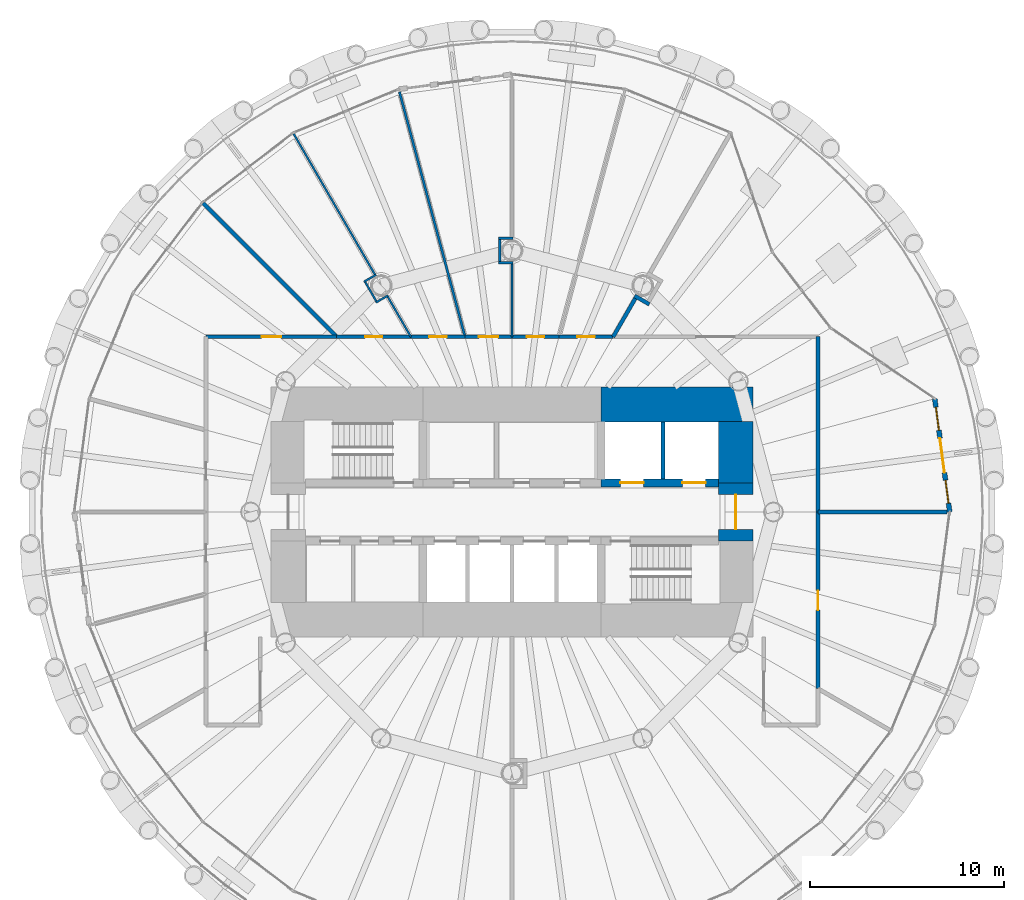
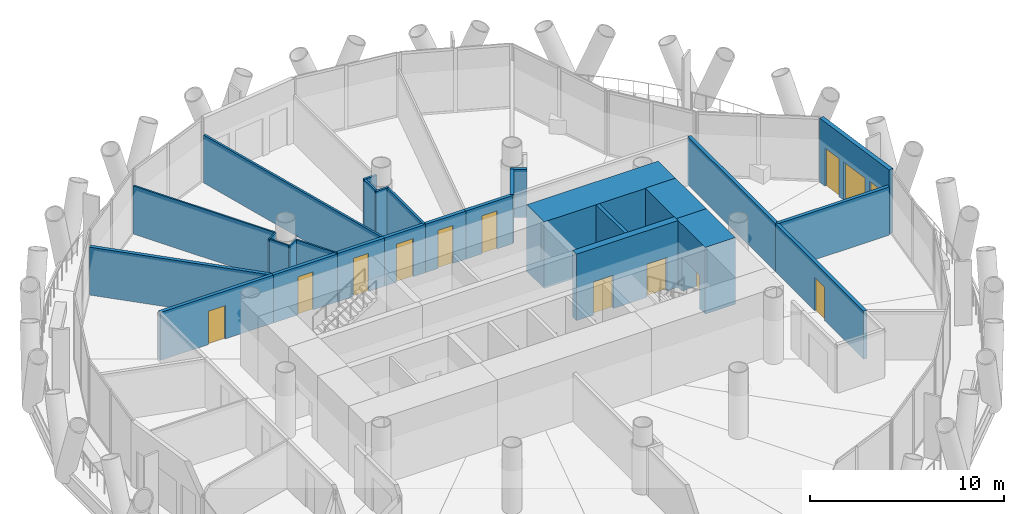
# One storey, part 11 of 16: 28 walls, 11 doors, 2 windows, 13 openings.
"""IFC4 building model written with IfcOpenShell, lengths in metres."""

import ifcopenshell
import ifcopenshell.guid

model = None  # the IFC model being written
_history = None  # IfcOwnerHistory: only IFC2X3 demands one
_inside = {}  # id of a spatial element -> (the spatial element, [elements in it])
_under = {}  # id of a project, library or spatial element -> (it, [spatial elements below it])
_declared = {}  # id of a project -> (the project, [libraries it declares])
_typed = {}  # id of a type object -> (the type object, [elements of that type])
_made_of = {}  # id of a material, layer set ... -> (it, [elements and type objects made of it])


def new_model(schema):
    """Start an empty IFC model of exactly this schema.

    Asked for "IFC4X3", IfcOpenShell would pick the latest addendum, in which some entities
    have other attributes; the version numbers below select the first issue.
    IFC2X3 requires an IfcOwnerHistory on every rooted entity: one is made here for all.
    """
    global model, _history
    if schema == "IFC4X3":
        model = ifcopenshell.file(schema_version=(4, 3, 0, 0))
    else:
        model = ifcopenshell.file(schema=schema)
    _inside.clear()
    _under.clear()
    _declared.clear()
    _typed.clear()
    _made_of.clear()
    _history = None
    if model.schema == "IFC2X3":
        org = make("IfcOrganization", Name="unknown")
        user = make(
            "IfcPersonAndOrganization",
            ThePerson=make("IfcPerson", FamilyName="unknown"),
            TheOrganization=org,
        )
        app = make(
            "IfcApplication",
            ApplicationDeveloper=org,
            Version="unknown",
            ApplicationFullName="unknown",
            ApplicationIdentifier="unknown",
        )
        _history = make(
            "IfcOwnerHistory",
            OwningUser=user,
            OwningApplication=app,
            ChangeAction="ADDED",
            CreationDate=0,
        )
    return model


def make(cls, **values):
    """One entity of the class cls with the attributes given. An attribute that is None is left unset."""
    return model.create_entity(
        cls, **{name: value for name, value in values.items() if value is not None}
    )


def rooted(cls, **values):
    """An entity with a GlobalId (a new one), such as an element, a storey or a relation."""
    return make(cls, GlobalId=ifcopenshell.guid.new(), OwnerHistory=_history, **values)


def si_unit(unit_type, name, prefix=None):
    """IfcSIUnit, for example si_unit("LENGTHUNIT", "METRE", prefix="MILLI")."""
    return make("IfcSIUnit", UnitType=unit_type, Prefix=prefix, Name=name)


def assignment(units):
    """IfcUnitAssignment: the units of a project."""
    return None if units is None else make("IfcUnitAssignment", Units=units)


def point(xyz):
    """IfcCartesianPoint."""
    return None if xyz is None else make("IfcCartesianPoint", Coordinates=xyz)


def direction(xyz):
    """IfcDirection."""
    return None if xyz is None else make("IfcDirection", DirectionRatios=xyz)


def frame(location, z_axis=None, x_axis=None):
    """IfcAxis2Placement3D, a coordinate frame: its origin and axes. An axis left out is left unset."""
    return make(
        "IfcAxis2Placement3D",
        Location=point(location),
        Axis=direction(z_axis),
        RefDirection=direction(x_axis),
    )


def frame_2d(location, x_axis=None):
    """IfcAxis2Placement2D, a coordinate frame in the plane: its origin and x axis."""
    return make(
        "IfcAxis2Placement2D", Location=point(location), RefDirection=direction(x_axis)
    )


def origin():
    """The frame at (0, 0, 0) with its axes left unset."""
    return frame((0.0, 0.0, 0.0))


def place(relative_to, where):
    """IfcLocalPlacement: puts the frame where relative to a parent placement (None: the world)."""
    return make(
        "IfcLocalPlacement", PlacementRelTo=relative_to, RelativePlacement=where
    )


def context(
    kind, dimensions, precision=None, world=None, true_north=None, identifier=None
):
    """IfcGeometricRepresentationContext, for example the 3D "Model" context."""
    return make(
        "IfcGeometricRepresentationContext",
        ContextIdentifier=identifier,
        ContextType=kind,
        CoordinateSpaceDimension=dimensions,
        Precision=precision,
        WorldCoordinateSystem=world,
        TrueNorth=true_north,
    )


def subcontext(parent, identifier, kind, view, scale=None):
    """IfcGeometricRepresentationSubContext, for example "Body" below "Model"."""
    return make(
        "IfcGeometricRepresentationSubContext",
        ContextIdentifier=identifier,
        ContextType=kind,
        ParentContext=parent,
        TargetScale=scale,
        TargetView=view,
    )


def project(units=None, contexts=None):
    """IfcProject with its units and contexts."""
    return rooted(
        "IfcProject",
        Name="project",
        RepresentationContexts=contexts,
        UnitsInContext=assignment(units),
    )


def spatial(cls, under=None, at=None, **own):
    """A site, building, storey or space (cls), placed at a placement, below another one or the project."""
    s = rooted(cls, ObjectPlacement=at, **own)
    if under is not None:
        _under.setdefault(under.id(), (under, []))[1].append(s)
    return s


def profile(cls, at=None, kind="AREA", **sizes):
    """A parametric profile (cls). Its sizes go by their IFC names, for example OverallWidth=200.0."""
    return make(cls, ProfileType=kind, Position=at, **sizes)


def rectangle(**sizes):
    """IfcRectangleProfileDef."""
    return profile("IfcRectangleProfileDef", **sizes)


def extrude(swept, where, along, depth):
    """IfcExtrudedAreaSolid: the profile swept, set in the frame where, extruded along a direction by depth."""
    return make(
        "IfcExtrudedAreaSolid",
        SweptArea=swept,
        Position=where,
        ExtrudedDirection=direction(along),
        Depth=depth,
    )


def shape(context_of_items, identifier, shape_type, items):
    """IfcShapeRepresentation: the items that make up one representation, for example the "Body"."""
    return make(
        "IfcShapeRepresentation",
        ContextOfItems=context_of_items,
        RepresentationIdentifier=identifier,
        RepresentationType=shape_type,
        Items=items,
    )


def material(Name=None, Category=None):
    """IfcMaterial."""
    return make("IfcMaterial", Name=Name, Category=Category)


def layer(
    of_material, thickness, ventilated=None, Name=None, Category=None, Priority=None
):
    """IfcMaterialLayer: one layer of a wall or slab, of a material (None: an air gap)."""
    return make(
        "IfcMaterialLayer",
        Material=of_material,
        LayerThickness=thickness,
        IsVentilated=ventilated,
        Name=Name,
        Category=Category,
        Priority=Priority,
    )


def layer_set(layers, Name=None):
    """IfcMaterialLayerSet."""
    return make("IfcMaterialLayerSet", MaterialLayers=layers, LayerSetName=Name)


def made_of(thing, what):
    """Note that an element or type object is made of a material, layer set ...; save() writes the relation."""
    if what is not None:
        _made_of.setdefault(what.id(), (what, []))[1].append(thing)
    return thing


def type_object(cls, material=None, **own):
    """A type object (cls), such as IfcWallType, which elements share."""
    return made_of(rooted(cls, **own), material)


def element(
    cls,
    number,
    at=None,
    inside=None,
    cuts=None,
    type_object=None,
    material=None,
    context=None,
    identifier="Body",
    shape_type=None,
    held_by="IfcProductDefinitionShape",
    body=None,
    shapes=None,
    **own,
):
    """One element of the class cls, such as IfcWall. Its Tag is "e" and its number.

    at: its placement. inside: the storey or other place that contains it. cuts: it is an
    opening in that element (IfcRelVoidsElement). A single representation is given by context,
    identifier, shape_type and body (its items); several are given by shapes. held_by: the class
    of the entity that holds the representations. save() writes the other relations.
    """
    e = rooted(cls, Tag="e%d" % number, ObjectPlacement=at, **own)
    if body is not None:
        shapes = [shape(context, identifier, shape_type, body)]
    if shapes is not None:
        e.Representation = make(held_by, Representations=shapes)
    if inside is not None:
        _inside.setdefault(inside.id(), (inside, []))[1].append(e)
    if cuts is not None:
        rooted(
            "IfcRelVoidsElement", RelatingBuildingElement=cuts, RelatedOpeningElement=e
        )
    if type_object is not None:
        _typed.setdefault(type_object.id(), (type_object, []))[1].append(e)
    return made_of(e, material)


def fill(opening, filler):
    """IfcRelFillsElement: the door or window that sits in an opening."""
    return rooted(
        "IfcRelFillsElement",
        RelatingOpeningElement=opening,
        RelatedBuildingElement=filler,
    )


def aggregate(whole, parts):
    """IfcRelAggregates: a whole, such as a stair, and the parts it consists of."""
    return rooted("IfcRelAggregates", RelatingObject=whole, RelatedObjects=parts)


def save(model, path):
    """Write the relations noted so far, then the file.

    IfcRelAggregates (storeys below a building ...), IfcRelContainedInSpatialStructure (elements
    in a storey), IfcRelDefinesByType, IfcRelAssociatesMaterial and IfcRelDeclares: one each for
    every whole, place, type object, material and project.
    """
    for whole, parts in _under.values():
        aggregate(whole, parts)
    for where, things in _inside.values():
        rooted(
            "IfcRelContainedInSpatialStructure",
            RelatedElements=things,
            RelatingStructure=where,
        )
    for kind, things in _typed.values():
        rooted("IfcRelDefinesByType", RelatedObjects=things, RelatingType=kind)
    for what, things in _made_of.values():
        rooted("IfcRelAssociatesMaterial", RelatedObjects=things, RelatingMaterial=what)
    for by, libraries in _declared.values():
        rooted("IfcRelDeclares", RelatingContext=by, RelatedDefinitions=libraries)
    model.write(path)


model = new_model("IFC4")

# Units and contexts
model_context = context("Model", 3, precision=1e-05, world=origin(), true_north=direction((0.0, 1.0)))
body_context = subcontext(model_context, "Body", "Model", "MODEL_VIEW")
ifc_project = project(units=[si_unit("LENGTHUNIT", "METRE"), si_unit("AREAUNIT", "SQUARE_METRE"), si_unit("VOLUMEUNIT", "CUBIC_METRE"), si_unit("PLANEANGLEUNIT", "RADIAN"), si_unit("MASSUNIT", "GRAM", prefix="KILO")], contexts=[model_context])

# Site, building, storey
site_placement = place(None, origin())
site = spatial("IfcSite", under=ifc_project, at=site_placement, CompositionType="ELEMENT")
building_placement = place(site_placement, origin())
building = spatial("IfcBuilding", under=site, at=building_placement, Name="Qaws Media Tower", CompositionType="ELEMENT")
storey_placement = place(building_placement, frame((0.0, 0.0, 135.199951171875)))
storey = spatial("IfcBuildingStorey", under=building, at=storey_placement, Name="L30", CompositionType="ELEMENT", Elevation=135.199951171875)

# Wall, openings, door, windows
ifc_material_1 = material(Name="Precast concrete, exposed finish", Category="concrete")
ifc_layer_1 = layer(ifc_material_1, 0.25)
ifc_layer_set_1 = layer_set([ifc_layer_1], Name="Balcony door wall 250")
wall_type_1 = type_object("IfcWallType", Name="Balcony door wall 250", PredefinedType="SOLIDWALL", material=ifc_layer_set_1)
wall_1_placement = place(storey_placement, frame((82.60009765625, 50.0, 0.0), z_axis=(0.0, 0.0, 1.0), x_axis=(-0.130556203128, 0.991440909901, 0.0)))
wall_1 = element("IfcWall", 1, at=wall_1_placement, inside=storey, type_object=wall_type_1, Name="W189 EW1 balcony door wall L30-01", PredefinedType="SOLIDWALL", context=body_context, shape_type="SweptSolid", body=[
    extrude(rectangle(XDim=5.89990234375, YDim=0.25, at=frame_2d((2.949951171875, 0.0))), origin(), (0.0, 0.0, 1.0), 4.0400390625),
])
opening_1_placement = place(wall_1_placement, frame((2.0498046875, 0.0, 0.0)))
opening_1 = element("IfcOpeningElement", 2, at=opening_1_placement, cuts=wall_1, Name="Opening D7", PredefinedType="OPENING", context=body_context, shape_type="SweptSolid", body=[
    extrude(rectangle(XDim=1.800048828125, YDim=2.39990234375, at=frame_2d((0.89990234375, 1.199951171875))), frame((0.0, 0.135009765625, 0.0), z_axis=(0.0, -1.0, 0.0), x_axis=(1.0, 0.0, 0.0)), (0.0, 0.0, 1.0), 0.27001953125),
])
opening_2_placement = place(wall_1_placement, frame((0.449951171875, 0.0, 0.0)))
opening_2 = element("IfcOpeningElement", 3, at=opening_2_placement, cuts=wall_1, Name="Opening W1", PredefinedType="OPENING", context=body_context, shape_type="SweptSolid", body=[
    extrude(rectangle(XDim=1.199951171875, YDim=2.39990234375, at=frame_2d((0.60009765625, 1.199951171875))), frame((0.0, 0.135009765625, 0.0), z_axis=(0.0, -1.0, 0.0), x_axis=(1.0, 0.0, 0.0)), (0.0, 0.0, 1.0), 0.27001953125),
])
opening_3_placement = place(wall_1_placement, frame((4.25, 0.0, 0.0)))
opening_3 = element("IfcOpeningElement", 4, at=opening_3_placement, cuts=wall_1, Name="Opening W1", PredefinedType="OPENING", context=body_context, shape_type="SweptSolid", body=[
    extrude(rectangle(XDim=1.199951171875, YDim=2.39990234375, at=frame_2d((0.60009765625, 1.199951171875))), frame((0.0, 0.135009765625, 0.0), z_axis=(0.0, -1.0, 0.0), x_axis=(1.0, 0.0, 0.0)), (0.0, 0.0, 1.0), 0.27001953125),
])
ifc_material_2 = material(Name="Aluminium and clear glass", Category="aluminium")
door_type_1 = type_object("IfcDoorType", Name="Balcony door pair 1800", OperationType="DOUBLE_DOOR_SLIDING", PredefinedType="DOOR", material=ifc_material_2)
door_1_placement = place(opening_1_placement, origin())
door_1 = element("IfcDoor", 5, at=door_1_placement, inside=storey, type_object=door_type_1, Name="D7 balcony door L30-01 in wall W189", OperationType="DOUBLE_DOOR_SLIDING", OverallHeight=2.39990234375, OverallWidth=1.800048828125, PredefinedType="DOOR", context=body_context, shape_type="SweptSolid", body=[
    extrude(rectangle(XDim=1.800048828125, YDim=2.39990234375, at=frame_2d((0.89990234375, 1.199951171875))), frame((0.0, 0.02490234375, 0.0), z_axis=(0.0, -1.0, 0.0), x_axis=(1.0, 0.0, 0.0)), (0.0, 0.0, 1.0), 0.050048828125),
])
fill(opening_1, door_1)
ifc_material_3 = material(Name="Aluminium and clear glass", Category="aluminium")
window_type = type_object("IfcWindowType", Name="Balcony side window 1200", PartitioningType="SINGLE_PANEL", PredefinedType="WINDOW", material=ifc_material_3)
window_1_placement = place(opening_2_placement, origin())
window_1 = element("IfcWindow", 6, at=window_1_placement, inside=storey, type_object=window_type, Name="W1 balcony side light L30-01L", OverallHeight=2.39990234375, OverallWidth=1.199951171875, PartitioningType="SINGLE_PANEL", PredefinedType="WINDOW", context=body_context, shape_type="SweptSolid", body=[
    extrude(rectangle(XDim=1.199951171875, YDim=2.39990234375, at=frame_2d((0.60009765625, 1.199951171875))), frame((0.0, 0.030029296875, 0.0), z_axis=(0.0, -1.0, 0.0), x_axis=(1.0, 0.0, 0.0)), (0.0, 0.0, 1.0), 0.06005859375),
])
fill(opening_2, window_1)
window_2_placement = place(opening_3_placement, origin())
window_2 = element("IfcWindow", 7, at=window_2_placement, inside=storey, type_object=window_type, Name="W1 balcony side light L30-01R", OverallHeight=2.39990234375, OverallWidth=1.199951171875, PartitioningType="SINGLE_PANEL", PredefinedType="WINDOW", context=body_context, shape_type="SweptSolid", body=[
    extrude(rectangle(XDim=1.199951171875, YDim=2.39990234375, at=frame_2d((0.60009765625, 1.199951171875))), frame((0.0, 0.030029296875, 0.0), z_axis=(0.0, -1.0, 0.0), x_axis=(1.0, 0.0, 0.0)), (0.0, 0.0, 1.0), 0.06005859375),
])
fill(opening_3, window_2)

# Wall, openings, doors
ifc_material_4 = material(Name="Concrete C60/75", Category="concrete")
ifc_layer_2 = layer(ifc_material_4, 0.39990234375)
ifc_layer_set_2 = layer_set([ifc_layer_2], Name="Core inner wall 400")
wall_type_2 = type_object("IfcWallType", Name="Core inner wall 400", PredefinedType="SHEAR", material=ifc_layer_set_2)
wall_2_placement = place(storey_placement, frame((64.60009765625, 51.5, 0.0), z_axis=(0.0, 0.0, 1.0), x_axis=(1.0, 0.0, 0.0)))
wall_2 = element("IfcWall", 8, at=wall_2_placement, inside=storey, type_object=wall_type_2, Name="W326 SW4 core wall SPNE L30", PredefinedType="SHEAR", context=body_context, shape_type="SweptSolid", body=[
    extrude(rectangle(XDim=6.06982421875, YDim=0.39990234375, at=frame_2d((3.034912109375, 0.0))), origin(), (0.0, 0.0, 1.0), 4.199951171875),
])
opening_4_placement = place(wall_2_placement, frame((1.0, 0.0, 0.0)))
opening_4 = element("IfcOpeningElement", 9, at=opening_4_placement, cuts=wall_2, Name="Opening LD2", PredefinedType="OPENING", context=body_context, shape_type="SweptSolid", body=[
    extrude(rectangle(XDim=1.199951171875, YDim=2.10009765625, at=frame_2d((0.60009765625, 1.050048828125))), frame((0.0, 0.2099609375, 0.0), z_axis=(0.0, -1.0, 0.0), x_axis=(1.0, 0.0, 0.0)), (0.0, 0.0, 1.0), 0.419921875),
])
opening_5_placement = place(wall_2_placement, frame((4.199951171875, 0.0, 0.0)))
opening_5 = element("IfcOpeningElement", 10, at=opening_5_placement, cuts=wall_2, Name="Opening LD2", PredefinedType="OPENING", context=body_context, shape_type="SweptSolid", body=[
    extrude(rectangle(XDim=1.199951171875, YDim=2.10009765625, at=frame_2d((0.60009765625, 1.050048828125))), frame((0.0, 0.2099609375, 0.0), z_axis=(0.0, -1.0, 0.0), x_axis=(1.0, 0.0, 0.0)), (0.0, 0.0, 1.0), 0.419921875),
])
ifc_material_5 = material(Name="Steel, fire rated", Category="steel")
door_type_2 = type_object("IfcDoorType", Name="Lift landing door 1200", OperationType="SLIDING_TO_LEFT", PredefinedType="DOOR", material=ifc_material_5)
door_2_placement = place(opening_4_placement, origin())
door_2 = element("IfcDoor", 11, at=door_2_placement, inside=storey, type_object=door_type_2, Name="FL1 landing door L30 in wall W326", OperationType="SLIDING_TO_LEFT", OverallHeight=2.10009765625, OverallWidth=1.199951171875, PredefinedType="DOOR", context=body_context, shape_type="SweptSolid", body=[
    extrude(rectangle(XDim=1.199951171875, YDim=2.10009765625, at=frame_2d((0.60009765625, 1.050048828125))), frame((0.0, 0.02490234375, 0.0), z_axis=(0.0, -1.0, 0.0), x_axis=(1.0, 0.0, 0.0)), (0.0, 0.0, 1.0), 0.050048828125),
])
fill(opening_4, door_2)
door_3_placement = place(opening_5_placement, origin())
door_3 = element("IfcDoor", 12, at=door_3_placement, inside=storey, type_object=door_type_2, Name="FL2 landing door L30 in wall W326", OperationType="SLIDING_TO_LEFT", OverallHeight=2.10009765625, OverallWidth=1.199951171875, PredefinedType="DOOR", context=body_context, shape_type="SweptSolid", body=[
    extrude(rectangle(XDim=1.199951171875, YDim=2.10009765625, at=frame_2d((0.60009765625, 1.050048828125))), frame((0.0, 0.02490234375, 0.0), z_axis=(0.0, -1.0, 0.0), x_axis=(1.0, 0.0, 0.0)), (0.0, 0.0, 1.0), 0.050048828125),
])
fill(opening_5, door_3)

# Wall
ifc_material_6 = material(Name="Concrete C60/75", Category="concrete")
ifc_layer_3 = layer(ifc_material_6, 1.800048828125)
ifc_layer_set_3 = layer_set([ifc_layer_3], Name="Core wall 1800")
wall_type_3 = type_object("IfcWallType", Name="Core wall 1800", PredefinedType="SHEAR", material=ifc_layer_set_3)
wall_3_placement = place(storey_placement, frame((64.60009765625, 55.550048828125, 0.0), z_axis=(0.0, 0.0, 1.0), x_axis=(1.0, 0.0, 0.0)))
element("IfcWall", 13, at=wall_3_placement, inside=storey, type_object=wall_type_3, Name="W423 SW11 core wall NE L30", PredefinedType="SHEAR", context=body_context, shape_type="SweptSolid", body=[
    extrude(rectangle(XDim=7.849853515625, YDim=1.800048828125, at=frame_2d((3.9248046875, 0.0))), origin(), (0.0, 0.0, 1.0), 4.199951171875),
])

# Wall, opening, door
wall_4_placement = place(storey_placement, frame((71.550048828125, 48.5, 0.0), z_axis=(0.0, 0.0, 1.0), x_axis=(0.0, 1.0, 0.0)))
wall_4 = element("IfcWall", 14, at=wall_4_placement, inside=storey, type_object=wall_type_3, Name="W427 SW11 core wall E L30", PredefinedType="SHEAR", context=body_context, shape_type="SweptSolid", body=[
    extrude(rectangle(XDim=3.0, YDim=1.800048828125, at=frame_2d((1.5, 0.0))), origin(), (0.0, 0.0, 1.0), 4.199951171875),
])
opening_6_placement = place(wall_4_placement, frame((0.60009765625, 0.0, 0.0)))
opening_6 = element("IfcOpeningElement", 15, at=opening_6_placement, cuts=wall_4, Name="Opening D2", PredefinedType="OPENING", context=body_context, shape_type="SweptSolid", body=[
    extrude(rectangle(XDim=1.800048828125, YDim=2.10009765625, at=frame_2d((0.89990234375, 1.050048828125))), frame((0.0, 0.909912109375, 0.0), z_axis=(0.0, -1.0, 0.0), x_axis=(1.0, 0.0, 0.0)), (0.0, 0.0, 1.0), 1.820068359375),
])
ifc_material_7 = material(Name="Steel and glass, fire rated", Category="steel")
door_type_3 = type_object("IfcDoorType", Name="Lobby door pair 1800 FD60", OperationType="DOUBLE_DOOR_DOUBLE_SWING", PredefinedType="DOOR", material=ifc_material_7)
door_4_placement = place(opening_6_placement, origin())
door_4 = element("IfcDoor", 16, at=door_4_placement, inside=storey, type_object=door_type_3, Name="D2 core lobby door E L30 in wall W427", OperationType="DOUBLE_DOOR_DOUBLE_SWING", OverallHeight=2.10009765625, OverallWidth=1.800048828125, PredefinedType="DOOR", context=body_context, shape_type="SweptSolid", body=[
    extrude(rectangle(XDim=1.800048828125, YDim=2.10009765625, at=frame_2d((0.89990234375, 1.050048828125))), frame((0.0, 0.02490234375, 0.0), z_axis=(0.0, -1.0, 0.0), x_axis=(1.0, 0.0, 0.0)), (0.0, 0.0, 1.0), 0.050048828125),
])
fill(opening_6, door_4)

# Walls
wall_5_placement = place(storey_placement, frame((71.550048828125, 51.5, 0.0), z_axis=(0.0, 0.0, 1.0), x_axis=(0.0, 1.0, 0.0)))
element("IfcWall", 17, at=wall_5_placement, inside=storey, type_object=wall_type_3, Name="W425 SW11 core wall EN L30", PredefinedType="SHEAR", context=body_context, shape_type="SweptSolid", body=[
    extrude(rectangle(XDim=3.169921875, YDim=1.800048828125, at=frame_2d((1.5849609375, 0.0))), origin(), (0.0, 0.0, 1.0), 4.199951171875),
])
ifc_material_8 = material(Name="Two layers gypsum board each side on 75 studs, insulated", Category="gypsum")
ifc_layer_4 = layer(ifc_material_8, 0.125)
ifc_layer_set_4 = layer_set([ifc_layer_4], Name="Meeting room partition 125 Rw 48")
wall_type_4 = type_object("IfcWallType", Name="Meeting room partition 125 Rw 48", PredefinedType="PARTITIONING", material=ifc_layer_set_4)
for number, where, z_axis, x_axis, name in (
    (18, (60.0625, 62.869384765625, 0.0), (0.0, 0.0, 1.0), (-1.0, 0.0, 0.0), "W554 IW5 partition return L30"),
    (19, (60.0625, 64.130615234375, 0.0), (0.0, 0.0, 1.0), (-1.0, 0.0, 0.0), "W555 IW5 partition return L30"),
):
    element("IfcWall", number, at=place(storey_placement, frame(where, z_axis=z_axis, x_axis=x_axis)), inside=storey, type_object=wall_type_4, Name=name, PredefinedType="PARTITIONING", context=body_context, shape_type="SweptSolid", body=[
        extrude(rectangle(XDim=0.765380859375, YDim=0.125, at=frame_2d((0.3828125, 0.0))), origin(), (0.0, 0.0, 1.0), 3.02001953125),
    ])
wall_6_placement = place(storey_placement, frame((59.359619140625, 62.931884765625, 0.0), z_axis=(0.0, 0.0, 1.0), x_axis=(0.0, 1.0, 0.0)))
element("IfcWall", 20, at=wall_6_placement, inside=storey, type_object=wall_type_4, Name="W551 IW5 partition return L30", PredefinedType="PARTITIONING", context=body_context, shape_type="SweptSolid", body=[
    extrude(rectangle(XDim=1.13623046875, YDim=0.125, at=frame_2d((0.568115234375, 0.0))), origin(), (0.0, 0.0, 1.0), 3.02001953125),
])
wall_7_placement = place(storey_placement, frame((60.0, 59.0400390625, 0.0), z_axis=(0.0, 0.0, 1.0), x_axis=(0.0, 1.0, 0.0)))
element("IfcWall", 21, at=wall_7_placement, inside=storey, type_object=wall_type_4, Name="W552 IW5 partition L30", PredefinedType="PARTITIONING", context=body_context, shape_type="SweptSolid", body=[
    extrude(rectangle(XDim=3.766845703125, YDim=0.125, at=frame_2d((1.88330078125, 0.0))), origin(), (0.0, 0.0, 1.0), 3.0400390625),
])
wall_8_placement = place(storey_placement, frame((57.577392578125, 59.041015625, 0.0), z_axis=(0.0, 0.0, 1.0), x_axis=(-0.258809678054, 0.965928336133, 0.0)))
element("IfcWall", 22, at=wall_8_placement, inside=storey, type_object=wall_type_4, Name="W550 IW5 partition L30", PredefinedType="PARTITIONING", context=body_context, shape_type="SweptSolid", body=[
    extrude(rectangle(XDim=13.099853515625, YDim=0.125, at=frame_2d((6.5498046875, 0.0))), origin(), (0.0, 0.0, 1.0), 3.02001953125),
])
ifc_material_9 = material(Name="Gypsum board on 70 metal studs, single layer each side", Category="gypsum")
ifc_layer_5 = layer(ifc_material_9, 0.10009765625)
ifc_layer_set_5 = layer_set([ifc_layer_5], Name="Office stud partition 100")
wall_type_5 = type_object("IfcWallType", Name="Office stud partition 100", PredefinedType="PARTITIONING", material=ifc_layer_set_5)
for number, where, z_axis, x_axis, name in (
    (23, (53.602294921875, 61.18115234375, 0.0), (0.0, 0.0, 1.0), (-0.866068339032, -0.499925626596, 0.0), "W673 IW4 partition return L30"),
    (24, (52.984375, 62.25146484375, 0.0), (0.0, 0.0, 1.0), (-0.866068339032, -0.499925626596, 0.0), "W671 IW4 partition return L30"),
):
    element("IfcWall", number, at=place(storey_placement, frame(where, z_axis=z_axis, x_axis=x_axis)), inside=storey, type_object=wall_type_5, Name=name, PredefinedType="PARTITIONING", context=body_context, shape_type="SweptSolid", body=[
        extrude(rectangle(XDim=0.72802734375, YDim=0.10009765625, at=frame_2d((0.364013671875, 0.0))), origin(), (0.0, 0.0, 1.0), 3.02001953125),
    ])
wall_9_placement = place(storey_placement, frame((52.989990234375, 60.885498046875, 0.0), z_axis=(0.0, 0.0, 1.0), x_axis=(-0.499976747263, 0.866038828342, 0.0)))
element("IfcWall", 25, at=wall_9_placement, inside=storey, type_object=wall_type_5, Name="W672 IW4 partition return L30", PredefinedType="PARTITIONING", context=body_context, shape_type="SweptSolid", body=[
    extrude(rectangle(XDim=1.1357421875, YDim=0.10009765625, at=frame_2d((0.56787109375, 0.0))), origin(), (0.0, 0.0, 1.0), 3.02001953125),
])
wall_10_placement = place(storey_placement, frame((54.780029296875, 59.041259765625, 0.0), z_axis=(0.0, 0.0, 1.0), x_axis=(-0.500014005679, 0.866017317451, 0.0)))
element("IfcWall", 26, at=wall_10_placement, inside=storey, type_object=wall_type_5, Name="W674 IW4 partition L30", PredefinedType="PARTITIONING", context=body_context, shape_type="SweptSolid", body=[
    extrude(rectangle(XDim=2.39208984375, YDim=0.10009765625, at=frame_2d((1.196044921875, 0.0))), origin(), (0.0, 0.0, 1.0), 3.0400390625),
])
wall_11_placement = place(storey_placement, frame((52.916015625, 62.269775390625, 0.0), z_axis=(0.0, 0.0, 1.0), x_axis=(-0.499996941814, 0.866027169422, 0.0)))
element("IfcWall", 27, at=wall_11_placement, inside=storey, type_object=wall_type_5, Name="W670 IW4 partition L30", PredefinedType="PARTITIONING", context=body_context, shape_type="SweptSolid", body=[
    extrude(rectangle(XDim=8.39208984375, YDim=0.10009765625, at=frame_2d((4.196044921875, 0.0))), origin(), (0.0, 0.0, 1.0), 3.0400390625),
])

# Wall, opening, door
ifc_material_10 = material(Name="Gypsum board on galvanised metal studs, acoustic double stud, deflection head", Category="gypsum")
ifc_layer_6 = layer(ifc_material_10, 0.199951171875)
ifc_layer_set_6 = layer_set([ifc_layer_6], Name="Room partition 200")
wall_type_6 = type_object("IfcWallType", Name="Room partition 200", PredefinedType="PARTITIONING", material=ifc_layer_set_6)
wall_12_placement = place(storey_placement, frame((44.199951171875, 59.050048828125, 0.0), z_axis=(0.0, 0.0, 1.0), x_axis=(1.0, 0.0, 0.0)))
wall_12 = element("IfcWall", 28, at=wall_12_placement, inside=storey, type_object=wall_type_6, Name="W1220 IW3 partition L30", PredefinedType="PARTITIONING", context=body_context, shape_type="SweptSolid", body=[
    extrude(rectangle(XDim=6.75, YDim=0.199951171875, at=frame_2d((3.375, 0.0))), origin(), (0.0, 0.0, 1.0), 3.02001953125),
])
opening_7_placement = place(wall_12_placement, frame((2.875, 0.0, 0.0)))
opening_7 = element("IfcOpeningElement", 29, at=opening_7_placement, cuts=wall_12, Name="Opening D5", PredefinedType="OPENING", context=body_context, shape_type="SweptSolid", body=[
    extrude(rectangle(XDim=1.0, YDim=2.10009765625, at=frame_2d((0.5, 1.050048828125))), frame((0.0, 0.10986328125, 0.0), z_axis=(0.0, -1.0, 0.0), x_axis=(1.0, 0.0, 0.0)), (0.0, 0.0, 1.0), 0.219970703125),
])
ifc_material_11 = material(Name="Timber veneered, acoustic seal", Category="wood")
door_type_4 = type_object("IfcDoorType", Name="Room door 1000", OperationType="SINGLE_SWING_LEFT", PredefinedType="DOOR", material=ifc_material_11)
door_5_placement = place(opening_7_placement, origin())
door_5 = element("IfcDoor", 30, at=door_5_placement, inside=storey, type_object=door_type_4, Name="D5 Legal library door L30 in wall W1220", OperationType="SINGLE_SWING_LEFT", OverallHeight=2.10009765625, OverallWidth=1.0, PredefinedType="DOOR", context=body_context, shape_type="SweptSolid", body=[
    extrude(rectangle(XDim=1.0, YDim=2.10009765625, at=frame_2d((0.5, 1.050048828125))), frame((0.0, 0.02490234375, 0.0), z_axis=(0.0, -1.0, 0.0), x_axis=(1.0, 0.0, 0.0)), (0.0, 0.0, 1.0), 0.050048828125),
])
fill(opening_7, door_5)

wall_13_placement = place(storey_placement, frame((50.949951171875, 59.050048828125, 0.0), z_axis=(0.0, 0.0, 1.0), x_axis=(1.0, 0.0, 0.0)))
wall_13 = element("IfcWall", 31, at=wall_13_placement, inside=storey, type_object=wall_type_6, Name="W1281 IW3 partition L30", PredefinedType="PARTITIONING", context=body_context, shape_type="SweptSolid", body=[
    extrude(rectangle(XDim=3.824951171875, YDim=0.199951171875, at=frame_2d((1.91259765625, 0.0))), origin(), (0.0, 0.0, 1.0), 3.02001953125),
])
opening_8_placement = place(wall_13_placement, frame((1.46240234375, 0.0, 0.0)))
opening_8 = element("IfcOpeningElement", 32, at=opening_8_placement, cuts=wall_13, Name="Opening D12", PredefinedType="OPENING", context=body_context, shape_type="SweptSolid", body=[
    extrude(rectangle(XDim=0.89990234375, YDim=2.39990234375, at=frame_2d((0.449951171875, 1.199951171875))), frame((0.0, 0.10986328125, 0.0), z_axis=(0.0, -1.0, 0.0), x_axis=(1.0, 0.0, 0.0)), (0.0, 0.0, 1.0), 0.219970703125),
])
ifc_material_12 = material(Name="Timber veneered, full height", Category="wood")
door_type_5 = type_object("IfcDoorType", Name="Office door 900x2400", OperationType="SINGLE_SWING_LEFT", PredefinedType="DOOR", material=ifc_material_12)
door_6_placement = place(opening_8_placement, origin())
door_6 = element("IfcDoor", 33, at=door_6_placement, inside=storey, type_object=door_type_5, Name="D12 Office door L30 in wall W1281", OperationType="SINGLE_SWING_LEFT", OverallHeight=2.39990234375, OverallWidth=0.89990234375, PredefinedType="DOOR", context=body_context, shape_type="SweptSolid", body=[
    extrude(rectangle(XDim=0.89990234375, YDim=2.39990234375, at=frame_2d((0.449951171875, 1.199951171875))), frame((0.0, 0.02490234375, 0.0), z_axis=(0.0, -1.0, 0.0), x_axis=(1.0, 0.0, 0.0)), (0.0, 0.0, 1.0), 0.050048828125),
])
fill(opening_8, door_6)

wall_14_placement = place(storey_placement, frame((54.77490234375, 59.050048828125, 0.0), z_axis=(0.0, 0.0, 1.0), x_axis=(1.0, 0.0, 0.0)))
wall_14 = element("IfcWall", 34, at=wall_14_placement, inside=storey, type_object=wall_type_6, Name="W1282 IW3 partition L30", PredefinedType="PARTITIONING", context=body_context, shape_type="SweptSolid", body=[
    extrude(rectangle(XDim=2.80029296875, YDim=0.199951171875, at=frame_2d((1.400146484375, 0.0))), origin(), (0.0, 0.0, 1.0), 3.0400390625),
])
opening_9_placement = place(wall_14_placement, frame((0.949951171875, 0.0, 0.0)))
opening_9 = element("IfcOpeningElement", 35, at=opening_9_placement, cuts=wall_14, Name="Opening D12", PredefinedType="OPENING", context=body_context, shape_type="SweptSolid", body=[
    extrude(rectangle(XDim=0.89990234375, YDim=2.39990234375, at=frame_2d((0.449951171875, 1.199951171875))), frame((0.0, 0.10986328125, 0.0), z_axis=(0.0, -1.0, 0.0), x_axis=(1.0, 0.0, 0.0)), (0.0, 0.0, 1.0), 0.219970703125),
])
door_7_placement = place(opening_9_placement, origin())
door_7 = element("IfcDoor", 36, at=door_7_placement, inside=storey, type_object=door_type_5, Name="D12 Office door L30 in wall W1282", OperationType="SINGLE_SWING_LEFT", OverallHeight=2.39990234375, OverallWidth=0.89990234375, PredefinedType="DOOR", context=body_context, shape_type="SweptSolid", body=[
    extrude(rectangle(XDim=0.89990234375, YDim=2.39990234375, at=frame_2d((0.449951171875, 1.199951171875))), frame((0.0, 0.02490234375, 0.0), z_axis=(0.0, -1.0, 0.0), x_axis=(1.0, 0.0, 0.0)), (0.0, 0.0, 1.0), 0.050048828125),
])
fill(opening_9, door_7)

wall_15_placement = place(storey_placement, frame((57.5751953125, 59.050048828125, 0.0), z_axis=(0.0, 0.0, 1.0), x_axis=(1.0, 0.0, 0.0)))
wall_15 = element("IfcWall", 37, at=wall_15_placement, inside=storey, type_object=wall_type_6, Name="W1283 IW3 partition L30", PredefinedType="PARTITIONING", context=body_context, shape_type="SweptSolid", body=[
    extrude(rectangle(XDim=2.4248046875, YDim=0.199951171875, at=frame_2d((1.21240234375, 0.0))), origin(), (0.0, 0.0, 1.0), 3.0400390625),
])
opening_10_placement = place(wall_15_placement, frame((0.71240234375, 0.0, 0.0)))
opening_10 = element("IfcOpeningElement", 38, at=opening_10_placement, cuts=wall_15, Name="Opening D13", PredefinedType="OPENING", context=body_context, shape_type="SweptSolid", body=[
    extrude(rectangle(XDim=1.0, YDim=2.39990234375, at=frame_2d((0.5, 1.199951171875))), frame((0.0, 0.10986328125, 0.0), z_axis=(0.0, -1.0, 0.0), x_axis=(1.0, 0.0, 0.0)), (0.0, 0.0, 1.0), 0.219970703125),
])
ifc_material_13 = material(Name="Frameless toughened glass, acoustic seals", Category="glass")
door_type_6 = type_object("IfcDoorType", Name="Glazed meeting room door 1000x2400", OperationType="SINGLE_SWING_LEFT", PredefinedType="DOOR", material=ifc_material_13)
door_8_placement = place(opening_10_placement, origin())
door_8 = element("IfcDoor", 39, at=door_8_placement, inside=storey, type_object=door_type_6, Name="D13 Meeting room door L30 in wall W1283", OperationType="SINGLE_SWING_LEFT", OverallHeight=2.39990234375, OverallWidth=1.0, PredefinedType="DOOR", context=body_context, shape_type="SweptSolid", body=[
    extrude(rectangle(XDim=1.0, YDim=2.39990234375, at=frame_2d((0.5, 1.199951171875))), frame((0.0, 0.02490234375, 0.0), z_axis=(0.0, -1.0, 0.0), x_axis=(1.0, 0.0, 0.0)), (0.0, 0.0, 1.0), 0.050048828125),
])
fill(opening_10, door_8)

wall_16_placement = place(storey_placement, frame((60.0, 59.050048828125, 0.0), z_axis=(0.0, 0.0, 1.0), x_axis=(1.0, 0.0, 0.0)))
wall_16 = element("IfcWall", 40, at=wall_16_placement, inside=storey, type_object=wall_type_6, Name="W1289 IW3 partition L30", PredefinedType="PARTITIONING", context=body_context, shape_type="SweptSolid", body=[
    extrude(rectangle(XDim=2.4248046875, YDim=0.199951171875, at=frame_2d((1.21240234375, 0.0))), origin(), (0.0, 0.0, 1.0), 3.0400390625),
])
opening_11_placement = place(wall_16_placement, frame((0.762451171875, 0.0, 0.0)))
opening_11 = element("IfcOpeningElement", 41, at=opening_11_placement, cuts=wall_16, Name="Opening D12", PredefinedType="OPENING", context=body_context, shape_type="SweptSolid", body=[
    extrude(rectangle(XDim=0.89990234375, YDim=2.39990234375, at=frame_2d((0.449951171875, 1.199951171875))), frame((0.0, 0.10986328125, 0.0), z_axis=(0.0, -1.0, 0.0), x_axis=(1.0, 0.0, 0.0)), (0.0, 0.0, 1.0), 0.219970703125),
])
door_9_placement = place(opening_11_placement, origin())
door_9 = element("IfcDoor", 42, at=door_9_placement, inside=storey, type_object=door_type_5, Name="D12 Office door L30 in wall W1289", OperationType="SINGLE_SWING_LEFT", OverallHeight=2.39990234375, OverallWidth=0.89990234375, PredefinedType="DOOR", context=body_context, shape_type="SweptSolid", body=[
    extrude(rectangle(XDim=0.89990234375, YDim=2.39990234375, at=frame_2d((0.449951171875, 1.199951171875))), frame((0.0, 0.02490234375, 0.0), z_axis=(0.0, -1.0, 0.0), x_axis=(1.0, 0.0, 0.0)), (0.0, 0.0, 1.0), 0.050048828125),
])
fill(opening_11, door_9)

wall_17_placement = place(storey_placement, frame((62.4248046875, 59.050048828125, 0.0), z_axis=(0.0, 0.0, 1.0), x_axis=(1.0, 0.0, 0.0)))
wall_17 = element("IfcWall", 43, at=wall_17_placement, inside=storey, type_object=wall_type_6, Name="W1291 IW3 partition L30", PredefinedType="PARTITIONING", context=body_context, shape_type="SweptSolid", body=[
    extrude(rectangle(XDim=2.80029296875, YDim=0.199951171875, at=frame_2d((1.400146484375, 0.0))), origin(), (0.0, 0.0, 1.0), 3.0400390625),
])
opening_12_placement = place(wall_17_placement, frame((0.949951171875, 0.0, 0.0)))
opening_12 = element("IfcOpeningElement", 44, at=opening_12_placement, cuts=wall_17, Name="Opening D12", PredefinedType="OPENING", context=body_context, shape_type="SweptSolid", body=[
    extrude(rectangle(XDim=0.89990234375, YDim=2.39990234375, at=frame_2d((0.449951171875, 1.199951171875))), frame((0.0, 0.10986328125, 0.0), z_axis=(0.0, -1.0, 0.0), x_axis=(1.0, 0.0, 0.0)), (0.0, 0.0, 1.0), 0.219970703125),
])
door_10_placement = place(opening_12_placement, origin())
door_10 = element("IfcDoor", 45, at=door_10_placement, inside=storey, type_object=door_type_5, Name="D12 Office door L30 in wall W1291", OperationType="SINGLE_SWING_LEFT", OverallHeight=2.39990234375, OverallWidth=0.89990234375, PredefinedType="DOOR", context=body_context, shape_type="SweptSolid", body=[
    extrude(rectangle(XDim=0.89990234375, YDim=2.39990234375, at=frame_2d((0.449951171875, 1.199951171875))), frame((0.0, 0.02490234375, 0.0), z_axis=(0.0, -1.0, 0.0), x_axis=(1.0, 0.0, 0.0)), (0.0, 0.0, 1.0), 0.050048828125),
])
fill(opening_12, door_10)

# Wall
wall_18_placement = place(storey_placement, frame((75.800048828125, 59.050048828125, 0.0), z_axis=(0.0, 0.0, 1.0), x_axis=(0.0, -1.0, 0.0)))
element("IfcWall", 46, at=wall_18_placement, inside=storey, type_object=wall_type_6, Name="W1235 IW3 partition L30", PredefinedType="PARTITIONING", context=body_context, shape_type="SweptSolid", body=[
    extrude(rectangle(XDim=9.050048828125, YDim=0.199951171875, at=frame_2d((4.52490234375, 0.0))), origin(), (0.0, 0.0, 1.0), 3.0400390625),
])

# Wall, opening, door
wall_19_placement = place(storey_placement, frame((75.800048828125, 50.0, 0.0), z_axis=(0.0, 0.0, 1.0), x_axis=(0.0, -1.0, 0.0)))
wall_19 = element("IfcWall", 47, at=wall_19_placement, inside=storey, type_object=wall_type_6, Name="W1233 IW3 partition L30", PredefinedType="PARTITIONING", context=body_context, shape_type="SweptSolid", body=[
    extrude(rectangle(XDim=9.1220703125, YDim=0.199951171875, at=frame_2d((4.56103515625, 0.0))), origin(), (0.0, 0.0, 1.0), 3.0400390625),
])
opening_13_placement = place(wall_19_placement, frame((4.06103515625, 0.0, 0.0)))
opening_13 = element("IfcOpeningElement", 48, at=opening_13_placement, cuts=wall_19, Name="Opening D5", PredefinedType="OPENING", context=body_context, shape_type="SweptSolid", body=[
    extrude(rectangle(XDim=1.0, YDim=2.10009765625, at=frame_2d((0.5, 1.050048828125))), frame((0.0, 0.10986328125, 0.0), z_axis=(0.0, -1.0, 0.0), x_axis=(1.0, 0.0, 0.0)), (0.0, 0.0, 1.0), 0.219970703125),
])
door_11_placement = place(opening_13_placement, origin())
door_11 = element("IfcDoor", 49, at=door_11_placement, inside=storey, type_object=door_type_4, Name="D5 Paralegal office door L30 in wall W1233", OperationType="SINGLE_SWING_LEFT", OverallHeight=2.10009765625, OverallWidth=1.0, PredefinedType="DOOR", context=body_context, shape_type="SweptSolid", body=[
    extrude(rectangle(XDim=1.0, YDim=2.10009765625, at=frame_2d((0.5, 1.050048828125))), frame((0.0, 0.02490234375, 0.0), z_axis=(0.0, -1.0, 0.0), x_axis=(1.0, 0.0, 0.0)), (0.0, 0.0, 1.0), 0.050048828125),
])
fill(opening_13, door_11)

# Walls
wall_20_placement = place(storey_placement, frame((75.800048828125, 50.0, 0.0), z_axis=(0.0, 0.0, 1.0), x_axis=(1.0, 0.0, 0.0)))
element("IfcWall", 50, at=wall_20_placement, inside=storey, type_object=wall_type_6, Name="W1299 IW3 partition L30", PredefinedType="PARTITIONING", context=body_context, shape_type="SweptSolid", body=[
    extrude(rectangle(XDim=6.659912109375, YDim=0.199951171875, at=frame_2d((3.330078125, 0.0))), origin(), (0.0, 0.0, 1.0), 3.0400390625),
])
wall_21_placement = place(storey_placement, frame((66.329345703125, 61.162841796875, 0.0), z_axis=(0.0, 0.0, 1.0), x_axis=(0.86607910459, -0.49990697594, 0.0)))
element("IfcWall", 51, at=wall_21_placement, inside=storey, type_object=wall_type_6, Name="W1294 IW3 partition return L30", PredefinedType="PARTITIONING", context=body_context, shape_type="SweptSolid", body=[
    extrude(rectangle(XDim=0.878173828125, YDim=0.199951171875, at=frame_2d((0.43896484375, 0.0))), origin(), (0.0, 0.0, 1.0), 3.02001953125),
])
wall_22_placement = place(storey_placement, frame((65.219970703125, 59.041259765625, 0.0), z_axis=(0.0, 0.0, 1.0), x_axis=(0.500011369369, 0.866018839577, 0.0)))
element("IfcWall", 52, at=wall_22_placement, inside=storey, type_object=wall_type_6, Name="W1292 IW3 partition L30", PredefinedType="PARTITIONING", context=body_context, shape_type="SweptSolid", body=[
    extrude(rectangle(XDim=2.2919921875, YDim=0.199951171875, at=frame_2d((1.14599609375, 0.0))), origin(), (0.0, 0.0, 1.0), 3.0400390625),
])
wall_23_placement = place(storey_placement, frame((50.948974609375, 59.051025390625, 0.0), z_axis=(0.0, 0.0, 1.0), x_axis=(-0.707106781187, 0.707106781187, 0.0)))
element("IfcWall", 53, at=wall_23_placement, inside=storey, type_object=wall_type_6, Name="W1280 IW3 partition L30", PredefinedType="PARTITIONING", context=body_context, shape_type="SweptSolid", body=[
    extrude(rectangle(XDim=9.760009765625, YDim=0.199951171875, at=frame_2d((4.8798828125, 0.0))), origin(), (0.0, 0.0, 1.0), 3.02001953125),
])
ifc_material_14 = material(Name="Fire-rated gypsum board shaft wall on galvanised metal studs, deflection head", Category="gypsum")
ifc_layer_7 = layer(ifc_material_14, 0.199951171875)
ifc_layer_set_7 = layer_set([ifc_layer_7], Name="Shaft wall 200")
wall_type_7 = type_object("IfcWallType", Name="Shaft wall 200", PredefinedType="PARTITIONING", material=ifc_layer_set_7)
wall_24_placement = place(storey_placement, frame((67.800048828125, 51.699951171875, 0.0), z_axis=(0.0, 0.0, 1.0), x_axis=(0.0, 1.0, 0.0)))
element("IfcWall", 54, at=wall_24_placement, inside=storey, type_object=wall_type_7, Name="W1863 IW1 shaft wall FL L30", PredefinedType="PARTITIONING", context=body_context, shape_type="SweptSolid", body=[
    extrude(rectangle(XDim=2.949951171875, YDim=0.199951171875, at=frame_2d((1.47509765625, 0.0))), origin(), (0.0, 0.0, 1.0), 4.199951171875),
])

save(model, "model.ifc")
